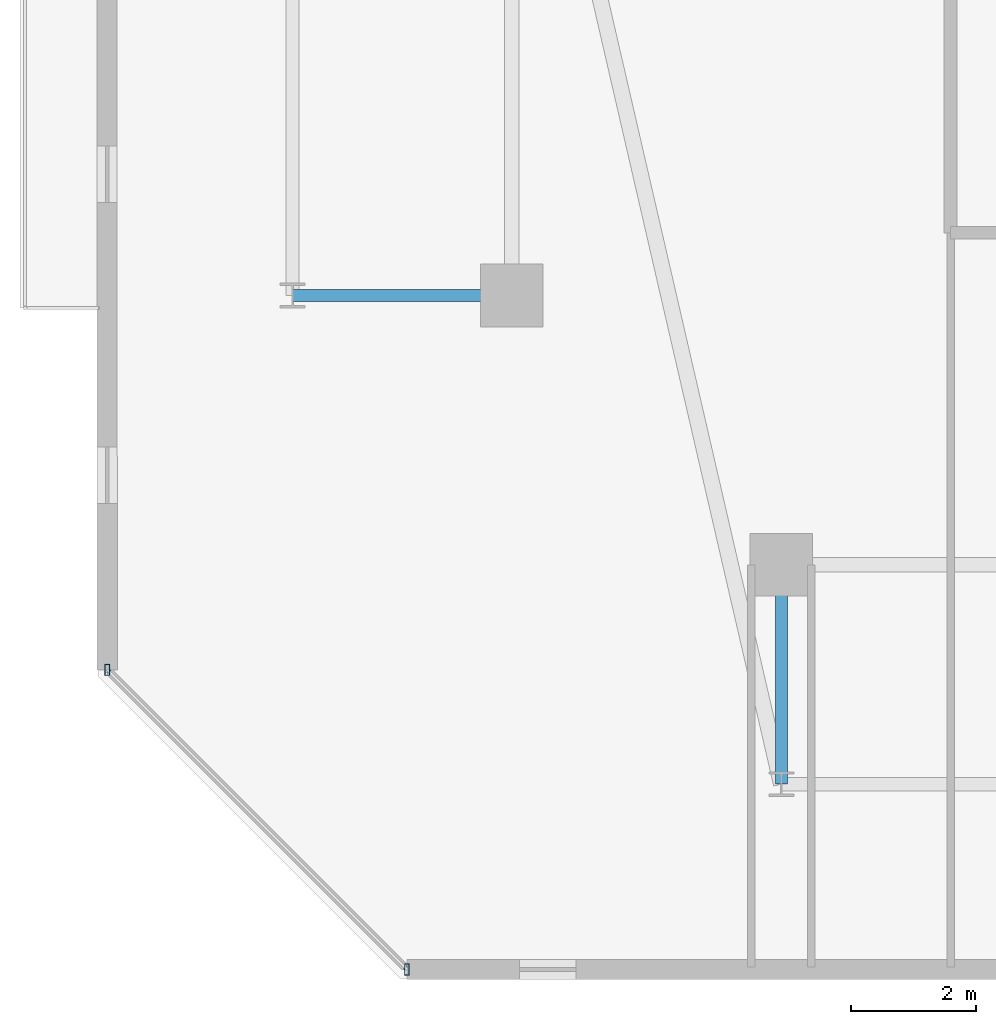
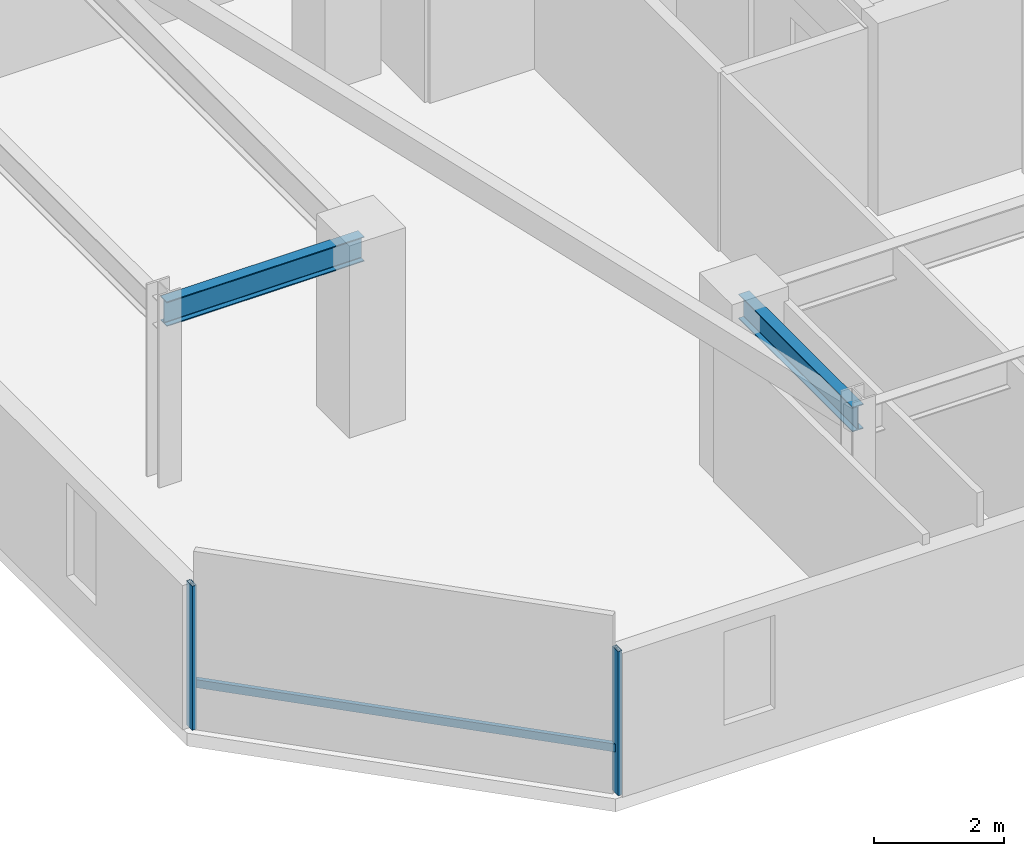
# One storey, part 3 of 32: 3 members, 2 beams, 1 element without a shape of its own.
"""IFC4 building model written with IfcOpenShell, lengths in metres."""

from ifc_helpers import new_model, si_unit, direction, frame, origin, origin_2d, place, context, subcontext, project, spatial, hollow_rectangle, i_section, extrude, material, material_profile, profile_set, type_object, element, aggregate, save


model = new_model("IFC4")

# Units and contexts
model_context = context("Model", 3, precision=1e-05, world=origin(), true_north=direction((0.0, 1.0)))
body_context = subcontext(model_context, "Body", "Model", "MODEL_VIEW")
ifc_project = project(units=[si_unit("LENGTHUNIT", "METRE"), si_unit("AREAUNIT", "SQUARE_METRE"), si_unit("VOLUMEUNIT", "CUBIC_METRE"), si_unit("PLANEANGLEUNIT", "RADIAN"), si_unit("MASSUNIT", "GRAM", prefix="KILO")], contexts=[model_context])

# Site, building, storey
site_placement = place(None, origin())
site = spatial("IfcSite", under=ifc_project, at=site_placement, CompositionType="ELEMENT")
building_placement = place(site_placement, origin())
building = spatial("IfcBuilding", under=site, at=building_placement, Name="Thornwick Lancets Civic Towers", CompositionType="ELEMENT")
storey_placement = place(building_placement, frame((0.0, 0.0, 247.5)))
storey = spatial("IfcBuildingStorey", under=building, at=storey_placement, Name="L66", CompositionType="ELEMENT", Elevation=247.5)

# Beams
ifc_material_1 = material(Name="Steel S355JR", Category="steel")
ifc_material_profile_1 = material_profile(ifc_material_1, i_section(OverallWidth=0.19189453125, OverallDepth=0.46337890625, WebThickness=0.010498046875, FlangeThickness=0.017578125, FilletRadius=0.01025390625, at=origin_2d()), Name="UKB 457x191x89")
ifc_profile_set_1 = profile_set([ifc_material_profile_1], Name="Steel S355JR")
beam_type = type_object("IfcBeamType", Name="BM_JOIST_457_89", PredefinedType="JOIST", material=ifc_profile_set_1)
for number, where, z_axis, x_axis, name in (
    (1, (12.5, 9.699951171875, 3.12841796875), (0.0, -1.0, 0.0), (1.0, 0.0, 0.0), "BM-RAD-L66-A01"),
    (2, (8.199951171875, 14.0, 3.12841796875), (-1.0, 0.0, 0.0), (0.0, -1.0, 0.0), "BM-RAD-L66-A10"),
):
    element("IfcBeam", number, at=place(storey_placement, frame(where, z_axis=z_axis, x_axis=x_axis)), inside=storey, type_object=beam_type, Name=name, PredefinedType="JOIST", context=body_context, shape_type="SweptSolid", body=[
        extrude(i_section(OverallWidth=0.19189453125, OverallDepth=0.46337890625, WebThickness=0.010498046875, FlangeThickness=0.017578125, FilletRadius=0.01025390625, at=origin_2d()), origin(), (0.0, 0.0, 1.0), 3.5),
    ])

# Curtain wall, members
ifc_material_2 = material(Name="High-zone chamfered-corner unitised glass curtain wall", Category="glass")
curtain_wall_type = type_object("IfcCurtainWallType", Name="CW_SYS_05", PredefinedType="NOTDEFINED", material=ifc_material_2)
curtain_wall_placement = place(storey_placement, origin())
curtain_wall = element("IfcCurtainWall", 3, at=curtain_wall_placement, inside=storey, type_object=curtain_wall_type, Name="L66 Curtain Wall CW-L66-A-E7", PredefinedType="NOTDEFINED")
ifc_material_3 = material(Name="Thermally broken bronze aluminium S355", Category="steel")
ifc_material_profile_2 = material_profile(ifc_material_3, hollow_rectangle(XDim=0.074951171875, YDim=0.179931640625, WallThickness=0.006103515625, at=origin_2d()), Name="RHS 180x75x6")
ifc_profile_set_2 = profile_set([ifc_material_profile_2], Name="Thermally broken bronze aluminium S355")
member_type_1 = type_object("IfcMemberType", Name="CW_MUL_180", PredefinedType="MULLION", material=ifc_profile_set_2)
member_1_placement = place(storey_placement, frame((1.74267578125, 8.02490234375, 0.0), z_axis=(0.0, 0.0, 1.0), x_axis=(1.0, 0.0, 0.0)))
member_1 = element("IfcMember", 4, at=member_1_placement, type_object=member_type_1, Name="CW-L66-A-E7 Mullion 0", PredefinedType="MULLION", context=body_context, shape_type="SweptSolid", body=[
    extrude(hollow_rectangle(XDim=0.074951171875, YDim=0.179931640625, WallThickness=0.006103515625, at=origin_2d()), origin(), (0.0, 0.0, 1.0), 2.699951171875),
])
member_2_placement = place(storey_placement, frame((6.52490234375, 3.24267578125, 0.0), z_axis=(0.0, 0.0, 1.0), x_axis=(1.0, 0.0, 0.0)))
member_2 = element("IfcMember", 5, at=member_2_placement, type_object=member_type_1, Name="CW-L66-A-E7 Mullion 1", PredefinedType="MULLION", context=body_context, shape_type="SweptSolid", body=[
    extrude(hollow_rectangle(XDim=0.074951171875, YDim=0.179931640625, WallThickness=0.006103515625, at=origin_2d()), origin(), (0.0, 0.0, 1.0), 2.699951171875),
])
ifc_material_profile_3 = material_profile(ifc_material_3, hollow_rectangle(XDim=0.074951171875, YDim=0.14990234375, WallThickness=0.0048828125, at=origin_2d()), Name="RHS 150x75x5")
ifc_profile_set_3 = profile_set([ifc_material_profile_3], Name="Thermally broken bronze aluminium S355")
member_type_2 = type_object("IfcMemberType", Name="CW_TRN_150", PredefinedType="USERDEFINED", material=ifc_profile_set_3)
member_3_placement = place(storey_placement, frame((1.756591796875, 8.0107421875, 0.85009765625), z_axis=(0.707106781187, -0.707106781187, 0.0), x_axis=(0.707106781187, 0.707106781187, 0.0)))
member_3 = element("IfcMember", 6, at=member_3_placement, type_object=member_type_2, Name="CW-L66-A-E7 Transom 0", ObjectType="TRANSOM", PredefinedType="USERDEFINED", context=body_context, shape_type="SweptSolid", body=[
    extrude(hollow_rectangle(XDim=0.074951171875, YDim=0.14990234375, WallThickness=0.0048828125, at=origin_2d()), origin(), (0.0, 0.0, 1.0), 6.723388671875),
])
aggregate(curtain_wall, [member_1, member_2, member_3])

save(model, "model.ifc")
